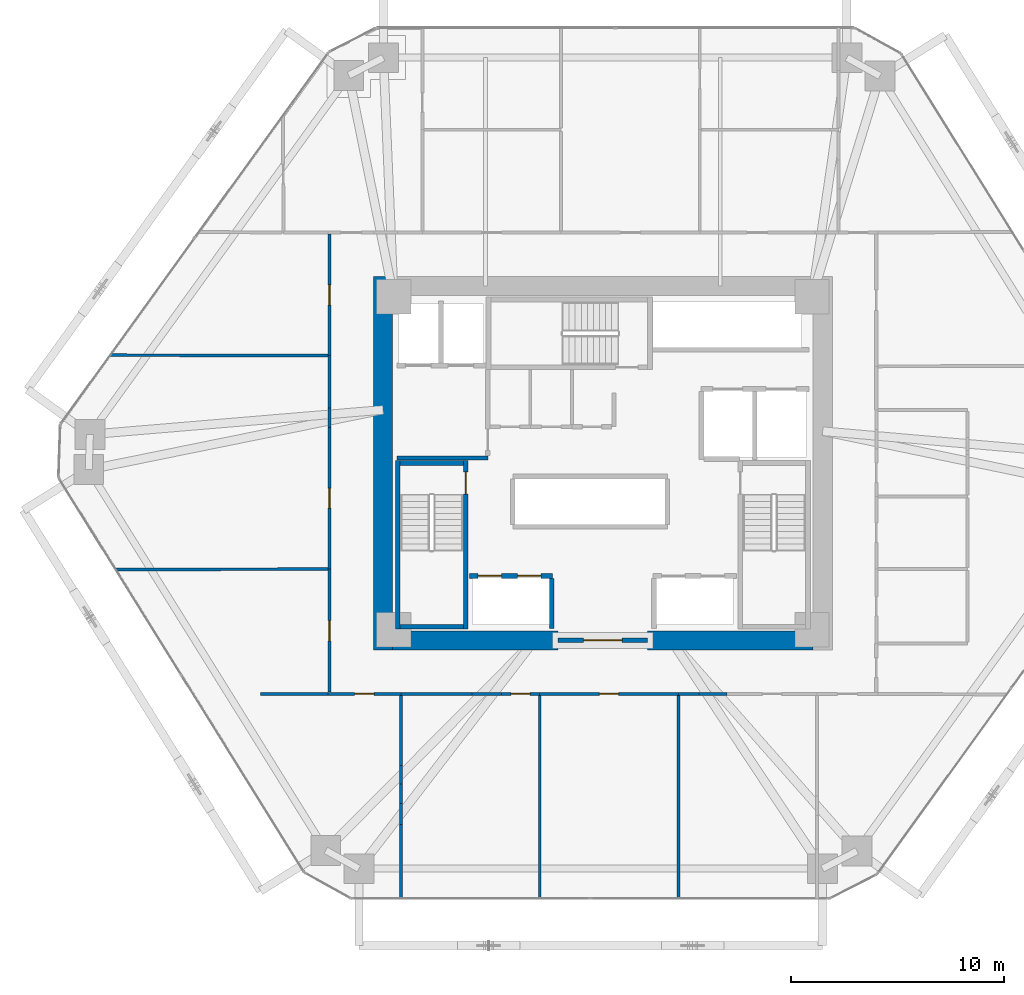
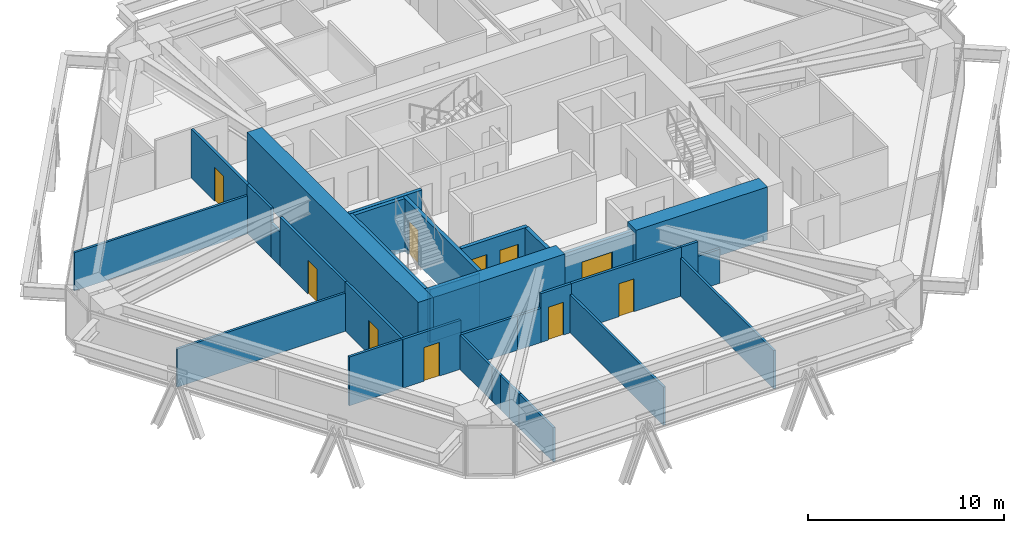
# One storey, part 13 of 17: 33 walls, 10 doors, 10 openings.
"""IFC4 building model written with IfcOpenShell, lengths in metres."""

from ifc_helpers import new_model, si_unit, direction, frame, frame_2d, origin, place, context, subcontext, project, spatial, rectangle, extrude, source, transform, mapped, material, layer, layer_set, type_object, type_shapes, element, fill, save


model = new_model("IFC4")

# Units and contexts
model_context = context("Model", 3, precision=1e-05, world=origin(), true_north=direction((0.0, 1.0)))
body_context = subcontext(model_context, "Body", "Model", "MODEL_VIEW")
ifc_project = project(units=[si_unit("LENGTHUNIT", "METRE"), si_unit("AREAUNIT", "SQUARE_METRE"), si_unit("VOLUMEUNIT", "CUBIC_METRE"), si_unit("PLANEANGLEUNIT", "RADIAN"), si_unit("MASSUNIT", "GRAM", prefix="KILO")], contexts=[model_context])

# Site, building, storey
site_placement = place(None, origin())
site = spatial("IfcSite", under=ifc_project, at=site_placement, CompositionType="ELEMENT")
building_placement = place(site_placement, origin())
building = spatial("IfcBuilding", under=site, at=building_placement, Name="Durnholm Broadcast Tower", CompositionType="ELEMENT")
storey_placement = place(building_placement, frame((0.0, 0.0, 39.0)))
storey = spatial("IfcBuildingStorey", under=building, at=storey_placement, Name="L08", CompositionType="ELEMENT", Elevation=39.0)

# Walls
ifc_material_1 = material(Name="Concrete C70/85", Category="concrete")
ifc_layer_1 = layer(ifc_material_1, 0.89990234375)
ifc_layer_set_1 = layer_set([ifc_layer_1], Name="Concrete C70/85")
wall_type_1 = type_object("IfcWallType", Name="WALL-CW-900", PredefinedType="SHEAR", material=ifc_layer_set_1)
wall_1_placement = place(storey_placement, frame((-10.300048828125, -8.75, 0.0), z_axis=(0.0, 0.0, 1.0), x_axis=(0.0, 1.0, 0.0)))
element("IfcWall", 1, at=wall_1_placement, inside=storey, type_object=wall_type_1, Name="L08 central core shear wall CW-WEST", PredefinedType="SHEAR", context=body_context, shape_type="SweptSolid", body=[
    extrude(rectangle(XDim=17.5, YDim=0.89990234375, at=frame_2d((8.75, 0.0))), origin(), (0.0, 0.0, 1.0), 3.300048828125),
])
for number, where, z_axis, x_axis, name in (
    (2, (-9.85009765625, -8.300048828125, 0.0), (0.0, 0.0, 1.0), (1.0, 0.0, 0.0), "L08 central core shear wall CW-S1"),
    (3, (2.10009765625, -8.300048828125, 0.0), (0.0, 0.0, 1.0), (1.0, 0.0, 0.0), "L08 central core shear wall CW-S2"),
):
    element("IfcWall", number, at=place(storey_placement, frame(where, z_axis=z_axis, x_axis=x_axis)), inside=storey, type_object=wall_type_1, Name=name, PredefinedType="SHEAR", context=body_context, shape_type="SweptSolid", body=[
        extrude(rectangle(XDim=7.75, YDim=0.89990234375, at=frame_2d((3.875, 0.0))), origin(), (0.0, 0.0, 1.0), 3.300048828125),
    ])

# Wall, opening, door
ifc_material_2 = material(Name="Fire-Rated Gypsum Shaftwall", Category="concrete")
ifc_layer_2 = layer(ifc_material_2, 0.199951171875)
ifc_layer_set_2 = layer_set([ifc_layer_2], Name="Fire-Rated Gypsum Shaftwall")
wall_type_2 = type_object("IfcWallType", Name="WALL-LOB-200", PredefinedType="SOLIDWALL", material=ifc_layer_set_2)
wall_2_placement = place(storey_placement, frame((-2.10009765625, -8.300048828125, 0.0), z_axis=(0.0, 0.0, 1.0), x_axis=(1.0, 0.0, 0.0)))
wall_2 = element("IfcWall", 4, at=wall_2_placement, inside=storey, type_object=wall_type_2, Name="L08 south core lobby fire screen", PredefinedType="SOLIDWALL", context=body_context, shape_type="SweptSolid", body=[
    extrude(rectangle(XDim=4.2001953125, YDim=0.199951171875, at=frame_2d((2.10009765625, 0.0))), origin(), (0.0, 0.0, 1.0), 3.044921875),
])
opening_1_placement = place(wall_2_placement, frame((1.199951171875, 0.0, 0.0)))
opening_1 = element("IfcOpeningElement", 5, at=opening_1_placement, cuts=wall_2, Name="Opening DP-60", PredefinedType="OPENING", context=body_context, shape_type="SweptSolid", body=[
    extrude(rectangle(XDim=1.800048828125, YDim=2.14990234375, at=frame_2d((0.89990234375, 1.074951171875))), frame((0.0, 0.10986328125, 0.0), z_axis=(0.0, -1.0, 0.0), x_axis=(1.0, 0.0, 0.0)), (0.0, 0.0, 1.0), 0.219970703125),
])
ifc_material_3 = material(Name="Fire-Rated Double Corridor Door", Category="steel")
ifc_layer_3 = layer(ifc_material_3, 0.050048828125)
ifc_layer_set_3 = layer_set([ifc_layer_3], Name="Fire-Rated Double Corridor Door")
door_type_1 = type_object("IfcDoorType", Name="DOOR-PAIR-FD60", OperationType="DOUBLE_DOOR_SINGLE_SWING", PredefinedType="DOOR", material=ifc_layer_set_3)
shared_shape_1 = source(origin(), body_context, "Body", "SweptSolid", [
    extrude(rectangle(XDim=1.800048828125, YDim=2.14990234375, at=frame_2d((0.89990234375, 1.074951171875))), frame((0.0, 0.02490234375, 0.0), z_axis=(0.0, -1.0, 0.0), x_axis=(1.0, 0.0, 0.0)), (0.0, 0.0, 1.0), 0.050048828125),
])
type_shapes(door_type_1, [shared_shape_1])
door_1_placement = place(opening_1_placement, origin())
door_1 = element("IfcDoor", 6, at=door_1_placement, inside=storey, type_object=door_type_1, Name="L08 south core lobby double fire door", OperationType="DOUBLE_DOOR_SINGLE_SWING", OverallHeight=2.14990234375, OverallWidth=1.800048828125, PredefinedType="DOOR", context=body_context, shape_type="MappedRepresentation", body=[
    mapped(shared_shape_1, transform((0.0, 0.0, 0.0), x_axis=(1.0, 0.0, 0.0), y_axis=(0.0, 1.0, 0.0), z_axis=(0.0, 0.0, 1.0), scale=1.0)),
])
fill(opening_1, door_1)

# Walls
wall_3_placement = place(storey_placement, frame((-9.64990234375, 0.25, 0.0), z_axis=(0.0, 0.0, 1.0), x_axis=(1.0, 0.0, 0.0)))
element("IfcWall", 7, at=wall_3_placement, inside=storey, type_object=wall_type_2, Name="L08 Fire Service Access Elevator lobby south wall", PredefinedType="SOLIDWALL", context=body_context, shape_type="SweptSolid", body=[
    extrude(rectangle(XDim=4.27001953125, YDim=0.199951171875, at=frame_2d((2.135009765625, 0.0))), origin(), (0.0, 0.0, 1.0), 3.044921875),
])
ifc_material_4 = material(Name="Gypsum Metal Stud Partition", Category="concrete")
ifc_layer_4 = layer(ifc_material_4, 0.135009765625)
ifc_layer_set_4 = layer_set([ifc_layer_4], Name="Gypsum Metal Stud Partition")
wall_type_3 = type_object("IfcWallType", Name="WALL-PART-135", PredefinedType="PARTITIONING", material=ifc_layer_set_4)
wall_4_placement = place(storey_placement, frame((-9.4599609375, -10.888916015625, 0.0), z_axis=(0.0, 0.0, 1.0), x_axis=(0.0, -1.0, 0.0)))
element("IfcWall", 8, at=wall_4_placement, inside=storey, type_object=wall_type_3, Name="L08 room dividing partition 15.16", PredefinedType="PARTITIONING", context=body_context, shape_type="SweptSolid", body=[
    extrude(rectangle(XDim=3.2783203125, YDim=0.135009765625, at=frame_2d((1.63916015625, 0.0))), origin(), (0.0, 0.0, 1.0), 2.130126953125),
])
wall_5_placement = place(storey_placement, frame((-9.4599609375, -15.02392578125, 0.0), z_axis=(0.0, 0.0, 1.0), x_axis=(0.0, -1.0, 0.0)))
element("IfcWall", 9, at=wall_5_placement, inside=storey, type_object=wall_type_3, Name="L08 room dividing partition 15.16", PredefinedType="PARTITIONING", context=body_context, shape_type="SweptSolid", body=[
    extrude(rectangle(XDim=0.91845703125, YDim=0.135009765625, at=frame_2d((0.459228515625, 0.0))), origin(), (0.0, 0.0, 1.0), 2.130126953125),
])
wall_6_placement = place(storey_placement, frame((-9.4599609375, -16.932861328125, 0.0), z_axis=(0.0, 0.0, 1.0), x_axis=(0.0, -1.0, 0.0)))
element("IfcWall", 10, at=wall_6_placement, inside=storey, type_object=wall_type_3, Name="L08 room dividing partition 15.16", PredefinedType="PARTITIONING", context=body_context, shape_type="SweptSolid", body=[
    extrude(rectangle(XDim=3.467041015625, YDim=0.135009765625, at=frame_2d((1.7333984375, 0.0))), origin(), (0.0, 0.0, 1.0), 2.130126953125),
])
wall_7_placement = place(storey_placement, frame((-9.4599609375, -14.167236328125, 0.0), z_axis=(0.0, 0.0, 1.0), x_axis=(0.0, -1.0, 0.0)))
element("IfcWall", 11, at=wall_7_placement, inside=storey, type_object=wall_type_3, Name="L08 room dividing partition 15.16", PredefinedType="PARTITIONING", context=body_context, shape_type="SweptSolid", body=[
    extrude(rectangle(XDim=0.856689453125, YDim=0.135009765625, at=frame_2d((0.42822265625, 0.0))), origin(), (0.0, 0.0, 1.0), 2.130126953125),
])
wall_8_placement = place(storey_placement, frame((-9.4599609375, -15.9423828125, 0.0), z_axis=(0.0, 0.0, 1.0), x_axis=(0.0, -1.0, 0.0)))
element("IfcWall", 12, at=wall_8_placement, inside=storey, type_object=wall_type_3, Name="L08 room dividing partition 15.16", PredefinedType="PARTITIONING", context=body_context, shape_type="SweptSolid", body=[
    extrude(rectangle(XDim=0.990478515625, YDim=0.135009765625, at=frame_2d((0.4951171875, 0.0))), origin(), (0.0, 0.0, 1.0), 2.130126953125),
])
wall_9_placement = place(storey_placement, frame((-16.0400390625, -10.81005859375, 0.0), z_axis=(0.0, 0.0, 1.0), x_axis=(1.0, 0.0, 0.0)))
element("IfcWall", 13, at=wall_9_placement, inside=storey, type_object=wall_type_3, Name="L08 room dividing partition 15.20", PredefinedType="PARTITIONING", context=body_context, shape_type="SweptSolid", body=[
    extrude(rectangle(XDim=3.150146484375, YDim=0.135009765625, at=frame_2d((1.5751953125, 0.0))), origin(), (0.0, 0.0, 1.0), 3.044921875),
])
for number, where, z_axis, x_axis, name in (
    (14, (-2.9599609375, -10.888916015625, 0.0), (0.0, 0.0, 1.0), (0.0, -1.0, 0.0), "L08 room dividing partition 16.17"),
    (15, (3.5400390625, -10.888916015625, 0.0), (0.0, 0.0, 1.0), (0.0, -1.0, 0.0), "L08 room dividing partition 17.18"),
):
    element("IfcWall", number, at=place(storey_placement, frame(where, z_axis=z_axis, x_axis=x_axis)), inside=storey, type_object=wall_type_3, Name=name, PredefinedType="PARTITIONING", context=body_context, shape_type="SweptSolid", body=[
        extrude(rectangle(XDim=9.510986328125, YDim=0.135009765625, at=frame_2d((4.75537109375, 0.0))), origin(), (0.0, 0.0, 1.0), 2.3798828125),
    ])
wall_10_placement = place(storey_placement, frame((-22.824951171875, -4.981201171875, 0.0), z_axis=(0.0, 0.0, 1.0), x_axis=(0.999997767357, 0.002113121234, 0.0)))
element("IfcWall", 16, at=wall_10_placement, inside=storey, type_object=wall_type_3, Name="L08 room dividing partition 20.21", PredefinedType="PARTITIONING", context=body_context, shape_type="SweptSolid", body=[
    extrude(rectangle(XDim=9.93603515625, YDim=0.135009765625, at=frame_2d((4.968017578125, 0.0))), origin(), (0.0, 0.0, 1.0), 2.3798828125),
])
wall_11_placement = place(storey_placement, frame((-23.081787109375, 5.0634765625, 0.0), z_axis=(0.0, 0.0, 1.0), x_axis=(0.999997411176, -0.002275443211, 0.0)))
element("IfcWall", 17, at=wall_11_placement, inside=storey, type_object=wall_type_3, Name="L08 room dividing partition 21.22", PredefinedType="PARTITIONING", context=body_context, shape_type="SweptSolid", body=[
    extrude(rectangle(XDim=10.19287109375, YDim=0.135009765625, at=frame_2d((5.096435546875, 0.0))), origin(), (0.0, 0.0, 1.0), 2.3798828125),
])

# Wall, opening, door
ifc_material_5 = material(Name="Acoustic Gypsum Stud Partition", Category="concrete")
ifc_layer_5 = layer(ifc_material_5, 0.14990234375)
ifc_layer_set_5 = layer_set([ifc_layer_5], Name="Acoustic Gypsum Stud Partition")
wall_type_4 = type_object("IfcWallType", Name="WALL-PART-150", PredefinedType="PARTITIONING", material=ifc_layer_set_5)
wall_12_placement = place(storey_placement, frame((-12.889892578125, -10.81005859375, 0.0), z_axis=(0.0, 0.0, 1.0), x_axis=(1.0, 0.0, 0.0)))
wall_12 = element("IfcWall", 18, at=wall_12_placement, inside=storey, type_object=wall_type_4, Name="L08 Media Legal Office corridor partition", PredefinedType="PARTITIONING", context=body_context, shape_type="SweptSolid", body=[
    extrude(rectangle(XDim=3.429931640625, YDim=0.14990234375, at=frame_2d((1.71484375, 0.0))), origin(), (0.0, 0.0, 1.0), 3.044921875),
])
opening_2_placement = place(wall_12_placement, frame((1.2548828125, 0.0, 0.0)))
opening_2 = element("IfcOpeningElement", 19, at=opening_2_placement, cuts=wall_12, Name="Opening DR-92R", PredefinedType="OPENING", context=body_context, shape_type="SweptSolid", body=[
    extrude(rectangle(XDim=0.919921875, YDim=2.10009765625, at=frame_2d((0.4599609375, 1.050048828125))), frame((0.0, 0.0849609375, 0.0), z_axis=(0.0, -1.0, 0.0), x_axis=(1.0, 0.0, 0.0)), (0.0, 0.0, 1.0), 0.169921875),
])
ifc_material_6 = material(Name="Oak Veneer Office Door", Category="wood")
ifc_layer_6 = layer(ifc_material_6, 0.050048828125)
ifc_layer_set_6 = layer_set([ifc_layer_6], Name="Oak Veneer Office Door")
door_type_2 = type_object("IfcDoorType", Name="DOOR-RM-920R", OperationType="NOTDEFINED", PredefinedType="DOOR", material=ifc_layer_set_6)
shared_shape_2 = source(origin(), body_context, "Body", "SweptSolid", [
    extrude(rectangle(XDim=0.919921875, YDim=2.10009765625, at=frame_2d((0.4599609375, 1.050048828125))), frame((0.0, 0.02490234375, 0.0), z_axis=(0.0, -1.0, 0.0), x_axis=(1.0, 0.0, 0.0)), (0.0, 0.0, 1.0), 0.050048828125),
])
type_shapes(door_type_2, [shared_shape_2])
door_2_placement = place(opening_2_placement, origin())
door_2 = element("IfcDoor", 20, at=door_2_placement, inside=storey, type_object=door_type_2, Name="L08 Media Legal Office entrance door", OperationType="SINGLE_SWING_RIGHT", OverallHeight=2.10009765625, OverallWidth=0.919921875, PredefinedType="DOOR", context=body_context, shape_type="MappedRepresentation", body=[
    mapped(shared_shape_2, transform((0.0, 0.0, 0.0), x_axis=(1.0, 0.0, 0.0), y_axis=(0.0, 1.0, 0.0), z_axis=(0.0, 0.0, 1.0), scale=1.0)),
])
fill(opening_2, door_2)

# Wall
wall_13_placement = place(storey_placement, frame((-9.4599609375, -10.81005859375, 0.0), z_axis=(0.0, 0.0, 1.0), x_axis=(1.0, 0.0, 0.0)))
element("IfcWall", 21, at=wall_13_placement, inside=storey, type_object=wall_type_4, Name="L08 Research Meeting Room corridor partition", PredefinedType="PARTITIONING", context=body_context, shape_type="SweptSolid", body=[
    extrude(rectangle(XDim=3.33837890625, YDim=0.14990234375, at=frame_2d((1.669189453125, 0.0))), origin(), (0.0, 0.0, 1.0), 2.130126953125),
])

# Wall, opening, door
wall_14_placement = place(storey_placement, frame((-4.749755859375, -10.81005859375, 0.0), z_axis=(0.0, 0.0, 1.0), x_axis=(1.0, 0.0, 0.0)))
wall_14 = element("IfcWall", 22, at=wall_14_placement, inside=storey, type_object=wall_type_4, Name="L08 Research Meeting Room corridor partition", PredefinedType="PARTITIONING", context=body_context, shape_type="SweptSolid", body=[
    extrude(rectangle(XDim=1.789794921875, YDim=0.14990234375, at=frame_2d((0.89501953125, 0.0))), origin(), (0.0, 0.0, 1.0), 3.044921875),
])
opening_3_placement = place(wall_14_placement, frame((0.44482421875, 0.0, 0.0)))
opening_3 = element("IfcOpeningElement", 23, at=opening_3_placement, cuts=wall_14, Name="Opening DW-90L", PredefinedType="OPENING", context=body_context, shape_type="SweptSolid", body=[
    extrude(rectangle(XDim=0.89990234375, YDim=2.050048828125, at=frame_2d((0.449951171875, 1.02490234375))), frame((0.0, 0.0849609375, 0.0), z_axis=(0.0, -1.0, 0.0), x_axis=(1.0, 0.0, 0.0)), (0.0, 0.0, 1.0), 0.169921875),
])
ifc_material_7 = material(Name="Laminate Restroom Door", Category="steel")
ifc_layer_7 = layer(ifc_material_7, 0.050048828125)
ifc_layer_set_7 = layer_set([ifc_layer_7], Name="Laminate Restroom Door")
door_type_3 = type_object("IfcDoorType", Name="DOOR-WC-900L", OperationType="NOTDEFINED", PredefinedType="DOOR", material=ifc_layer_set_7)
shared_shape_3 = source(origin(), body_context, "Body", "SweptSolid", [
    extrude(rectangle(XDim=0.89990234375, YDim=2.050048828125, at=frame_2d((0.449951171875, 1.02490234375))), frame((0.0, 0.02490234375, 0.0), z_axis=(0.0, -1.0, 0.0), x_axis=(1.0, 0.0, 0.0)), (0.0, 0.0, 1.0), 0.050048828125),
])
type_shapes(door_type_3, [shared_shape_3])
door_3_placement = place(opening_3_placement, origin())
door_3 = element("IfcDoor", 24, at=door_3_placement, inside=storey, type_object=door_type_3, Name="L08 Research Meeting Room entrance door", OperationType="SINGLE_SWING_LEFT", OverallHeight=2.050048828125, OverallWidth=0.89990234375, PredefinedType="DOOR", context=body_context, shape_type="MappedRepresentation", body=[
    mapped(shared_shape_3, transform((0.0, 0.0, 0.0), x_axis=(1.0, 0.0, 0.0), y_axis=(0.0, 1.0, 0.0), z_axis=(0.0, 0.0, 1.0), scale=1.0)),
])
fill(opening_3, door_3)

# Wall
wall_15_placement = place(storey_placement, frame((-6.12158203125, -10.81005859375, 0.0), z_axis=(0.0, 0.0, 1.0), x_axis=(1.0, 0.0, 0.0)))
element("IfcWall", 25, at=wall_15_placement, inside=storey, type_object=wall_type_4, Name="L08 Research Meeting Room corridor partition", PredefinedType="PARTITIONING", context=body_context, shape_type="SweptSolid", body=[
    extrude(rectangle(XDim=1.371826171875, YDim=0.14990234375, at=frame_2d((0.68603515625, 0.0))), origin(), (0.0, 0.0, 1.0), 2.130126953125),
])

# Wall, opening, door
wall_16_placement = place(storey_placement, frame((-2.9599609375, -10.81005859375, 0.0), z_axis=(0.0, 0.0, 1.0), x_axis=(1.0, 0.0, 0.0)))
wall_16 = element("IfcWall", 26, at=wall_16_placement, inside=storey, type_object=wall_type_4, Name="L08 Tape Store corridor partition", PredefinedType="PARTITIONING", context=body_context, shape_type="SweptSolid", body=[
    extrude(rectangle(XDim=6.5, YDim=0.14990234375, at=frame_2d((3.25, 0.0))), origin(), (0.0, 0.0, 1.0), 3.044921875),
])
opening_4_placement = place(wall_16_placement, frame((2.800048828125, 0.0, 0.0)))
opening_4 = element("IfcOpeningElement", 27, at=opening_4_placement, cuts=wall_16, Name="Opening DC-60R", PredefinedType="OPENING", context=body_context, shape_type="SweptSolid", body=[
    extrude(rectangle(XDim=0.89990234375, YDim=2.050048828125, at=frame_2d((0.449951171875, 1.02490234375))), frame((0.0, 0.0849609375, 0.0), z_axis=(0.0, -1.0, 0.0), x_axis=(1.0, 0.0, 0.0)), (0.0, 0.0, 1.0), 0.169921875),
])
ifc_material_8 = material(Name="Fire-Rated Core Service Door", Category="steel")
ifc_layer_8 = layer(ifc_material_8, 0.050048828125)
ifc_layer_set_8 = layer_set([ifc_layer_8], Name="Fire-Rated Core Service Door")
door_type_4 = type_object("IfcDoorType", Name="DOOR-CORE-FD60-R", OperationType="NOTDEFINED", PredefinedType="DOOR", material=ifc_layer_set_8)
shared_shape_4 = source(origin(), body_context, "Body", "SweptSolid", [
    extrude(rectangle(XDim=0.89990234375, YDim=2.050048828125, at=frame_2d((0.449951171875, 1.02490234375))), frame((0.0, 0.02490234375, 0.0), z_axis=(0.0, -1.0, 0.0), x_axis=(1.0, 0.0, 0.0)), (0.0, 0.0, 1.0), 0.050048828125),
])
type_shapes(door_type_4, [shared_shape_4])
door_4_placement = place(opening_4_placement, origin())
door_4 = element("IfcDoor", 28, at=door_4_placement, inside=storey, type_object=door_type_4, Name="L08 Tape Store entrance door", OperationType="SINGLE_SWING_RIGHT", OverallHeight=2.050048828125, OverallWidth=0.89990234375, PredefinedType="DOOR", context=body_context, shape_type="MappedRepresentation", body=[
    mapped(shared_shape_4, transform((0.0, 0.0, 0.0), x_axis=(1.0, 0.0, 0.0), y_axis=(0.0, 1.0, 0.0), z_axis=(0.0, 0.0, 1.0), scale=1.0)),
])
fill(opening_4, door_4)

# Walls
wall_17_placement = place(storey_placement, frame((3.5400390625, -10.81005859375, 0.0), z_axis=(0.0, 0.0, 1.0), x_axis=(1.0, 0.0, 0.0)))
element("IfcWall", 29, at=wall_17_placement, inside=storey, type_object=wall_type_4, Name="L08 Video Edit Office 1 corridor partition", PredefinedType="PARTITIONING", context=body_context, shape_type="SweptSolid", body=[
    extrude(rectangle(XDim=0.959228515625, YDim=0.14990234375, at=frame_2d((0.4794921875, 0.0))), origin(), (0.0, 0.0, 1.0), 3.044921875),
])
wall_18_placement = place(storey_placement, frame((4.499267578125, -10.81005859375, 0.0), z_axis=(0.0, 0.0, 1.0), x_axis=(1.0, 0.0, 0.0)))
element("IfcWall", 30, at=wall_18_placement, inside=storey, type_object=wall_type_4, Name="L08 Video Edit Office 1 corridor partition", PredefinedType="PARTITIONING", context=body_context, shape_type="SweptSolid", body=[
    extrude(rectangle(XDim=1.318115234375, YDim=0.14990234375, at=frame_2d((0.6591796875, 0.0))), origin(), (0.0, 0.0, 1.0), 2.130126953125),
])

# Wall, opening, door
wall_19_placement = place(storey_placement, frame((-12.81005859375, -4.9599609375, 0.0), z_axis=(0.0, 0.0, 1.0), x_axis=(0.0, -1.0, 0.0)))
wall_19 = element("IfcWall", 31, at=wall_19_placement, inside=storey, type_object=wall_type_4, Name="L08 Color Timing Office corridor partition", PredefinedType="PARTITIONING", context=body_context, shape_type="SweptSolid", body=[
    extrude(rectangle(XDim=5.77099609375, YDim=0.14990234375, at=frame_2d((2.885498046875, 0.0))), origin(), (0.0, 0.0, 1.0), 3.044921875),
])
opening_5_placement = place(wall_19_placement, frame((2.410400390625, 0.0, 0.0)))
opening_5 = element("IfcOpeningElement", 32, at=opening_5_placement, cuts=wall_19, Name="Opening DR-95R", PredefinedType="OPENING", context=body_context, shape_type="SweptSolid", body=[
    extrude(rectangle(XDim=0.949951171875, YDim=2.10009765625, at=frame_2d((0.47509765625, 1.050048828125))), frame((0.0, 0.0849609375, 0.0), z_axis=(0.0, -1.0, 0.0), x_axis=(1.0, 0.0, 0.0)), (0.0, 0.0, 1.0), 0.169921875),
])
ifc_material_9 = material(Name="Acoustic Oak Veneer Timber Door", Category="wood")
ifc_layer_9 = layer(ifc_material_9, 0.050048828125)
ifc_layer_set_9 = layer_set([ifc_layer_9], Name="Acoustic Oak Veneer Timber Door")
door_type_5 = type_object("IfcDoorType", Name="DOOR-RM-950R", OperationType="NOTDEFINED", PredefinedType="DOOR", material=ifc_layer_set_9)
shared_shape_5 = source(origin(), body_context, "Body", "SweptSolid", [
    extrude(rectangle(XDim=0.949951171875, YDim=2.10009765625, at=frame_2d((0.47509765625, 1.050048828125))), frame((0.0, 0.02490234375, 0.0), z_axis=(0.0, -1.0, 0.0), x_axis=(1.0, 0.0, 0.0)), (0.0, 0.0, 1.0), 0.050048828125),
])
type_shapes(door_type_5, [shared_shape_5])
door_5_placement = place(opening_5_placement, origin())
door_5 = element("IfcDoor", 33, at=door_5_placement, inside=storey, type_object=door_type_5, Name="L08 Color Timing Office entrance door", OperationType="SINGLE_SWING_RIGHT", OverallHeight=2.10009765625, OverallWidth=0.949951171875, PredefinedType="DOOR", context=body_context, shape_type="MappedRepresentation", body=[
    mapped(shared_shape_5, transform((0.0, 0.0, 0.0), x_axis=(1.0, 0.0, 0.0), y_axis=(0.0, 1.0, 0.0), z_axis=(0.0, 0.0, 1.0), scale=1.0)),
])
fill(opening_5, door_5)

# Wall
wall_20_placement = place(storey_placement, frame((-12.81005859375, 5.0400390625, 0.0), z_axis=(0.0, 0.0, 1.0), x_axis=(0.0, -1.0, 0.0)))
element("IfcWall", 34, at=wall_20_placement, inside=storey, type_object=wall_type_4, Name="L08 Audio Mix Office corridor partition", PredefinedType="PARTITIONING", context=body_context, shape_type="SweptSolid", body=[
    extrude(rectangle(XDim=2.44775390625, YDim=0.14990234375, at=frame_2d((1.223876953125, 0.0))), origin(), (0.0, 0.0, 1.0), 3.044921875),
])

# Wall, opening, door
wall_21_placement = place(storey_placement, frame((-12.81005859375, 1.682373046875, 0.0), z_axis=(0.0, 0.0, 1.0), x_axis=(0.0, -1.0, 0.0)))
wall_21 = element("IfcWall", 35, at=wall_21_placement, inside=storey, type_object=wall_type_4, Name="L08 Audio Mix Office corridor partition", PredefinedType="PARTITIONING", context=body_context, shape_type="SweptSolid", body=[
    extrude(rectangle(XDim=6.642333984375, YDim=0.14990234375, at=frame_2d((3.3212890625, 0.0))), origin(), (0.0, 0.0, 1.0), 3.044921875),
])
opening_6_placement = place(wall_21_placement, frame((2.861083984375, 0.0, 0.0)))
opening_6 = element("IfcOpeningElement", 36, at=opening_6_placement, cuts=wall_21, Name="Opening DR-92L", PredefinedType="OPENING", context=body_context, shape_type="SweptSolid", body=[
    extrude(rectangle(XDim=0.919921875, YDim=2.10009765625, at=frame_2d((0.4599609375, 1.050048828125))), frame((0.0, 0.0849609375, 0.0), z_axis=(0.0, -1.0, 0.0), x_axis=(1.0, 0.0, 0.0)), (0.0, 0.0, 1.0), 0.169921875),
])
ifc_layer_10 = layer(ifc_material_6, 0.050048828125)
ifc_layer_set_10 = layer_set([ifc_layer_10], Name="Oak Veneer Office Door")
door_type_6 = type_object("IfcDoorType", Name="DOOR-RM-920L", OperationType="NOTDEFINED", PredefinedType="DOOR", material=ifc_layer_set_10)
shared_shape_6 = source(origin(), body_context, "Body", "SweptSolid", [
    extrude(rectangle(XDim=0.919921875, YDim=2.10009765625, at=frame_2d((0.4599609375, 1.050048828125))), frame((0.0, 0.02490234375, 0.0), z_axis=(0.0, -1.0, 0.0), x_axis=(1.0, 0.0, 0.0)), (0.0, 0.0, 1.0), 0.050048828125),
])
type_shapes(door_type_6, [shared_shape_6])
door_6_placement = place(opening_6_placement, origin())
door_6 = element("IfcDoor", 37, at=door_6_placement, inside=storey, type_object=door_type_6, Name="L08 Audio Mix Office entrance door", OperationType="SINGLE_SWING_LEFT", OverallHeight=2.10009765625, OverallWidth=0.919921875, PredefinedType="DOOR", context=body_context, shape_type="MappedRepresentation", body=[
    mapped(shared_shape_6, transform((0.0, 0.0, 0.0), x_axis=(1.0, 0.0, 0.0), y_axis=(0.0, 1.0, 0.0), z_axis=(0.0, 0.0, 1.0), scale=1.0)),
])
fill(opening_6, door_6)

# Wall
wall_22_placement = place(storey_placement, frame((-12.81005859375, 2.59228515625, 0.0), z_axis=(0.0, 0.0, 1.0), x_axis=(0.0, -1.0, 0.0)))
element("IfcWall", 38, at=wall_22_placement, inside=storey, type_object=wall_type_4, Name="L08 Audio Mix Office corridor partition", PredefinedType="PARTITIONING", context=body_context, shape_type="SweptSolid", body=[
    extrude(rectangle(XDim=0.909912109375, YDim=0.14990234375, at=frame_2d((0.455078125, 0.0))), origin(), (0.0, 0.0, 1.0), 2.130126953125),
])

# Wall, opening, door
wall_23_placement = place(storey_placement, frame((-12.81005859375, 10.73095703125, 0.0), z_axis=(0.0, 0.0, 1.0), x_axis=(0.0, -1.0, 0.0)))
wall_23 = element("IfcWall", 39, at=wall_23_placement, inside=storey, type_object=wall_type_4, Name="L08 Senior Editor Office corridor partition", PredefinedType="PARTITIONING", context=body_context, shape_type="SweptSolid", body=[
    extrude(rectangle(XDim=5.69091796875, YDim=0.14990234375, at=frame_2d((2.845458984375, 0.0))), origin(), (0.0, 0.0, 1.0), 3.044921875),
])
opening_7_placement = place(wall_23_placement, frame((2.37060546875, 0.0, 0.0)))
opening_7 = element("IfcOpeningElement", 40, at=opening_7_placement, cuts=wall_23, Name="Opening DR-95R", PredefinedType="OPENING", context=body_context, shape_type="SweptSolid", body=[
    extrude(rectangle(XDim=0.949951171875, YDim=2.10009765625, at=frame_2d((0.47509765625, 1.050048828125))), frame((0.0, 0.0849609375, 0.0), z_axis=(0.0, -1.0, 0.0), x_axis=(1.0, 0.0, 0.0)), (0.0, 0.0, 1.0), 0.169921875),
])
door_7_placement = place(opening_7_placement, origin())
door_7 = element("IfcDoor", 41, at=door_7_placement, inside=storey, type_object=door_type_5, Name="L08 Senior Editor Office entrance door", OperationType="SINGLE_SWING_RIGHT", OverallHeight=2.10009765625, OverallWidth=0.949951171875, PredefinedType="DOOR", context=body_context, shape_type="MappedRepresentation", body=[
    mapped(shared_shape_5, transform((0.0, 0.0, 0.0), x_axis=(1.0, 0.0, 0.0), y_axis=(0.0, 1.0, 0.0), z_axis=(0.0, 0.0, 1.0), scale=1.0)),
])
fill(opening_7, door_7)

# Wall, openings, doors
ifc_material_10 = material(Name="Concrete Blockwork C30/37", Category="masonry")
ifc_layer_11 = layer(ifc_material_10, 0.219970703125)
ifc_layer_set_11 = layer_set([ifc_layer_11], Name="Concrete Blockwork C30/37")
wall_type_5 = type_object("IfcWallType", Name="WALL-SHAFT-220", PredefinedType="SOLIDWALL", material=ifc_layer_set_11)
wall_24_placement = place(storey_placement, frame((-6.25, -5.280029296875, 0.0), z_axis=(0.0, 0.0, 1.0), x_axis=(1.0, 0.0, 0.0)))
wall_24 = element("IfcWall", 42, at=wall_24_placement, inside=storey, type_object=wall_type_5, Name="L08 low-rise bank P1 west front wall", PredefinedType="SOLIDWALL", context=body_context, shape_type="SweptSolid", body=[
    extrude(rectangle(XDim=3.89990234375, YDim=0.219970703125, at=frame_2d((1.949951171875, 0.0))), origin(), (0.0, 0.0, 1.0), 3.044921875),
])
opening_8_placement = place(wall_24_placement, frame((0.39990234375, 0.0, 0.0)))
opening_8 = element("IfcOpeningElement", 43, at=opening_8_placement, cuts=wall_24, Name="Opening LD-LP1-1", PredefinedType="OPENING", context=body_context, shape_type="SweptSolid", body=[
    extrude(rectangle(XDim=1.10009765625, YDim=2.14990234375, at=frame_2d((0.550048828125, 1.074951171875))), frame((0.0, 0.1201171875, 0.0), z_axis=(0.0, -1.0, 0.0), x_axis=(1.0, 0.0, 0.0)), (0.0, 0.0, 1.0), 0.239990234375),
])
opening_9_placement = place(wall_24_placement, frame((2.25, 0.0, 0.0)))
opening_9 = element("IfcOpeningElement", 44, at=opening_9_placement, cuts=wall_24, Name="Opening LD-LP1-2", PredefinedType="OPENING", context=body_context, shape_type="SweptSolid", body=[
    extrude(rectangle(XDim=1.10009765625, YDim=2.14990234375, at=frame_2d((0.550048828125, 1.074951171875))), frame((0.0, 0.1201171875, 0.0), z_axis=(0.0, -1.0, 0.0), x_axis=(1.0, 0.0, 0.0)), (0.0, 0.0, 1.0), 0.239990234375),
])
ifc_material_11 = material(Name="Stainless Steel Sliding Elevator Landing Door", Category="steel")
ifc_layer_12 = layer(ifc_material_11, 0.050048828125)
ifc_layer_set_12 = layer_set([ifc_layer_12], Name="Stainless Steel Sliding Elevator Landing Door")
door_type_7 = type_object("IfcDoorType", Name="DOOR-LIFT-PAX", OperationType="DOUBLE_DOOR_SLIDING", PredefinedType="DOOR", material=ifc_layer_set_12)
shared_shape_7 = source(origin(), body_context, "Body", "SweptSolid", [
    extrude(rectangle(XDim=1.10009765625, YDim=2.14990234375, at=frame_2d((0.550048828125, 1.074951171875))), frame((0.0, 0.02490234375, 0.0), z_axis=(0.0, -1.0, 0.0), x_axis=(1.0, 0.0, 0.0)), (0.0, 0.0, 1.0), 0.050048828125),
])
type_shapes(door_type_7, [shared_shape_7])
door_8_placement = place(opening_8_placement, origin())
door_8 = element("IfcDoor", 45, at=door_8_placement, inside=storey, type_object=door_type_7, Name="L08 passenger elevator LP1-1 sliding landing door", OperationType="DOUBLE_DOOR_SLIDING", OverallHeight=2.14990234375, OverallWidth=1.10009765625, PredefinedType="DOOR", context=body_context, shape_type="MappedRepresentation", body=[
    mapped(shared_shape_7, transform((0.0, 0.0, 0.0), x_axis=(1.0, 0.0, 0.0), y_axis=(0.0, 1.0, 0.0), z_axis=(0.0, 0.0, 1.0), scale=1.0)),
])
fill(opening_8, door_8)
door_9_placement = place(opening_9_placement, origin())
door_9 = element("IfcDoor", 46, at=door_9_placement, inside=storey, type_object=door_type_7, Name="L08 passenger elevator LP1-2 sliding landing door", OperationType="DOUBLE_DOOR_SLIDING", OverallHeight=2.14990234375, OverallWidth=1.10009765625, PredefinedType="DOOR", context=body_context, shape_type="MappedRepresentation", body=[
    mapped(shared_shape_7, transform((0.0, 0.0, 0.0), x_axis=(1.0, 0.0, 0.0), y_axis=(0.0, 1.0, 0.0), z_axis=(0.0, 0.0, 1.0), scale=1.0)),
])
fill(opening_9, door_9)

# Wall
wall_25_placement = place(storey_placement, frame((-2.39990234375, -7.75, 0.0), z_axis=(0.0, 0.0, 1.0), x_axis=(0.0, 1.0, 0.0)))
element("IfcWall", 47, at=wall_25_placement, inside=storey, type_object=wall_type_5, Name="L08 low-rise bank P1 west mouth wall", PredefinedType="SOLIDWALL", context=body_context, shape_type="SweptSolid", body=[
    extrude(rectangle(XDim=2.35595703125, YDim=0.219970703125, at=frame_2d((1.177978515625, 0.0))), origin(), (0.0, 0.0, 1.0), 3.044921875),
])

# Wall, opening, door
ifc_material_12 = material(Name="Concrete C50/60", Category="concrete")
ifc_layer_13 = layer(ifc_material_12, 0.219970703125)
ifc_layer_set_13 = layer_set([ifc_layer_13], Name="Concrete C50/60")
wall_type_6 = type_object("IfcWallType", Name="WALL-SW-220", PredefinedType="SHEAR", material=ifc_layer_set_13)
wall_26_placement = place(storey_placement, frame((-6.429931640625, -7.77001953125, -0.239990234375), z_axis=(0.0, 0.0, 1.0), x_axis=(0.0, 1.0, 0.0)))
wall_26 = element("IfcWall", 48, at=wall_26_placement, inside=storey, type_object=wall_type_6, Name="L08 stair ST-1 structural shaft wall E", PredefinedType="SHEAR", context=body_context, shape_type="SweptSolid", body=[
    extrude(rectangle(XDim=7.89013671875, YDim=0.219970703125, at=frame_2d((3.945068359375, 0.0))), origin(), (0.0, 0.0, 1.0), 3.300048828125),
])
opening_10_placement = place(wall_26_placement, frame((6.320068359375, 0.0, 0.0)))
opening_10 = element("IfcOpeningElement", 49, at=opening_10_placement, cuts=wall_26, Name="Opening DS-90L", PredefinedType="OPENING", context=body_context, shape_type="SweptSolid", body=[
    extrude(rectangle(XDim=1.050048828125, YDim=2.14990234375, at=frame_2d((0.52490234375, 1.074951171875))), frame((0.0, 0.1201171875, 0.0), z_axis=(0.0, -1.0, 0.0), x_axis=(1.0, 0.0, 0.0)), (0.0, 0.0, 1.0), 0.239990234375),
])
ifc_material_13 = material(Name="Fire-Rated Steel Door", Category="steel")
ifc_layer_14 = layer(ifc_material_13, 0.050048828125)
ifc_layer_set_14 = layer_set([ifc_layer_14], Name="Fire-Rated Steel Door")
door_type_8 = type_object("IfcDoorType", Name="DOOR-ST-FD90-L", OperationType="NOTDEFINED", PredefinedType="DOOR", material=ifc_layer_set_14)
shared_shape_8 = source(origin(), body_context, "Body", "SweptSolid", [
    extrude(rectangle(XDim=1.050048828125, YDim=2.14990234375, at=frame_2d((0.52490234375, 1.074951171875))), frame((0.0, 0.02490234375, 0.0), z_axis=(0.0, -1.0, 0.0), x_axis=(1.0, 0.0, 0.0)), (0.0, 0.0, 1.0), 0.050048828125),
])
type_shapes(door_type_8, [shared_shape_8])
door_10_placement = place(opening_10_placement, origin())
door_10 = element("IfcDoor", 50, at=door_10_placement, inside=storey, type_object=door_type_8, Name="L08 exit stair ST-1 fire door", OperationType="SINGLE_SWING_LEFT", OverallHeight=2.14990234375, OverallWidth=1.050048828125, PredefinedType="DOOR", context=body_context, shape_type="MappedRepresentation", body=[
    mapped(shared_shape_8, transform((0.0, 0.0, 0.0), x_axis=(1.0, 0.0, 0.0), y_axis=(0.0, 1.0, 0.0), z_axis=(0.0, 0.0, 1.0), scale=1.0)),
])
fill(opening_10, door_10)

# Walls
wall_27_placement = place(storey_placement, frame((-9.610107421875, 0.1201171875, -0.239990234375), z_axis=(0.0, 0.0, 1.0), x_axis=(0.0, -1.0, 0.0)))
element("IfcWall", 51, at=wall_27_placement, inside=storey, type_object=wall_type_6, Name="L08 stair ST-1 structural shaft wall W", PredefinedType="SHEAR", context=body_context, shape_type="SweptSolid", body=[
    extrude(rectangle(XDim=7.89013671875, YDim=0.219970703125, at=frame_2d((3.945068359375, 0.0))), origin(), (0.0, 0.0, 1.0), 3.300048828125),
])
for number, where, z_axis, x_axis, name in (
    (52, (-9.5, -7.659912109375, -0.239990234375), (0.0, 0.0, 1.0), (1.0, 0.0, 0.0), "L08 stair ST-1 structural shaft wall S"),
    (53, (-6.5400390625, 0.010009765625, -0.239990234375), (0.0, 0.0, 1.0), (-1.0, 0.0, 0.0), "L08 stair ST-1 structural shaft wall N"),
):
    element("IfcWall", number, at=place(storey_placement, frame(where, z_axis=z_axis, x_axis=x_axis)), inside=storey, type_object=wall_type_6, Name=name, PredefinedType="SHEAR", context=body_context, shape_type="SweptSolid", body=[
        extrude(rectangle(XDim=2.9599609375, YDim=0.219970703125, at=frame_2d((1.47998046875, 0.0))), origin(), (0.0, 0.0, 1.0), 3.300048828125),
    ])

save(model, "model.ifc")
